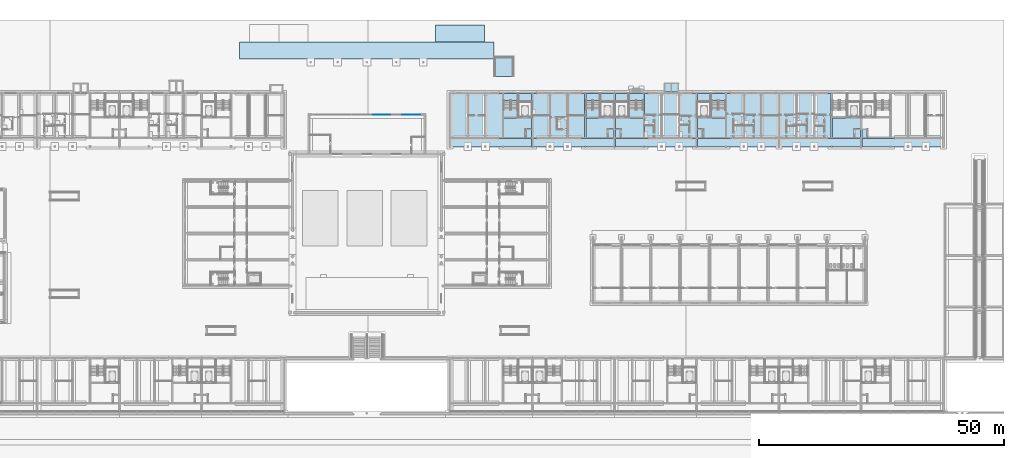
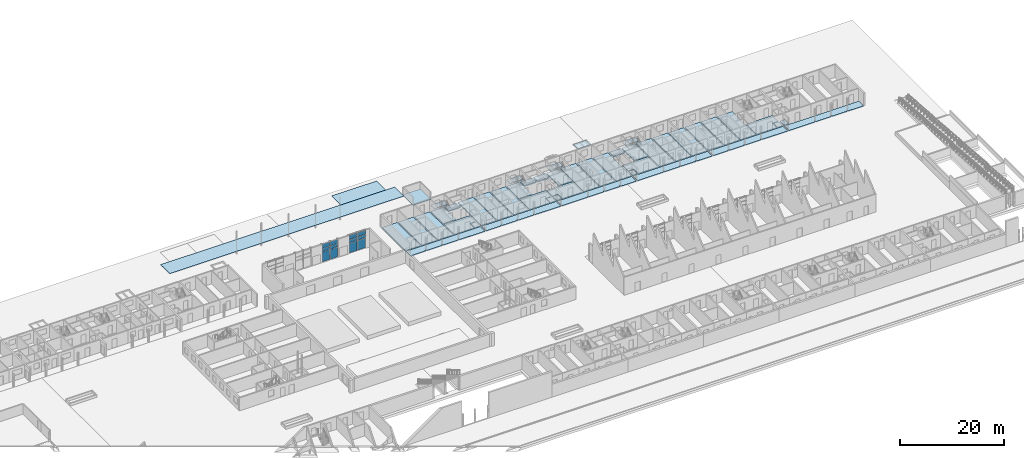
# One storey, part 35 of 112: 48 slabs, 12 plates, 6 elements without a shape of their own.
"""IFC4 building model written with IfcOpenShell, lengths in metres."""

from ifc_helpers import new_model, si_unit, direction, frame, origin, origin_2d, place, context, subcontext, project, spatial, polyline, rectangle, outline, extrude, material, layer, layer_set, type_object, element, aggregate, save


model = new_model("IFC4")

# Units and contexts
model_context = context("Model", 3, precision=1e-05, world=origin(), true_north=direction((0.0, 1.0)))
body_context = subcontext(model_context, "Body", "Model", "MODEL_VIEW")
ifc_project = project(units=[si_unit("LENGTHUNIT", "METRE"), si_unit("AREAUNIT", "SQUARE_METRE"), si_unit("VOLUMEUNIT", "CUBIC_METRE"), si_unit("PLANEANGLEUNIT", "RADIAN"), si_unit("MASSUNIT", "GRAM", prefix="KILO")], contexts=[model_context])

# Site, building, storey
site_placement = place(None, origin())
site = spatial("IfcSite", under=ifc_project, at=site_placement, CompositionType="ELEMENT")
building_placement = place(site_placement, origin())
building = spatial("IfcBuilding", under=site, at=building_placement, Name="Ridgestep Commons", CompositionType="ELEMENT")
storey_placement = place(building_placement, origin())
storey = spatial("IfcBuildingStorey", under=building, at=storey_placement, Name="L00", CompositionType="ELEMENT", Elevation=0.0)

# Curtain wall, plates
ifc_material_1 = material(Name="Aluminium and glass", Category="aluminium")
ifc_layer_1 = layer(ifc_material_1, 0.199951171875)
ifc_layer_set_1 = layer_set([ifc_layer_1], Name="Foyer curtain wall")
curtain_wall_type = type_object("IfcCurtainWallType", Name="Foyer curtain wall", PredefinedType="NOTDEFINED", material=ifc_layer_set_1)
curtain_wall_1_placement = place(storey_placement, origin())
curtain_wall_1 = element("IfcCurtainWall", 1, at=curtain_wall_1_placement, inside=storey, type_object=curtain_wall_type, Name="Foyer curtain wall", PredefinedType="NOTDEFINED")
ifc_material_2 = material(Name="Glass", Category="glass")
ifc_layer_2 = layer(ifc_material_2, 0.02392578125)
ifc_layer_set_2 = layer_set([ifc_layer_2], Name="Community glass panel 24")
plate_type = type_object("IfcPlateType", Name="Community glass panel 24", PredefinedType="CURTAIN_PANEL", material=ifc_layer_set_2)
plate_1_placement = place(storey_placement, frame((131.9150390625, 72.64990234375, 0.06005859375), z_axis=(0.0, 0.0, 1.0), x_axis=(1.0, 0.0, 0.0)))
plate_1 = element("IfcPlate", 2, at=plate_1_placement, type_object=plate_type, Name="CW2 panel 1.1", PredefinedType="CURTAIN_PANEL", context=body_context, shape_type="SweptSolid", body=[
    extrude(rectangle(XDim=1.7099609375, YDim=0.02392578125, at=origin_2d()), origin(), (0.0, 0.0, 1.0), 2.31005859375),
])
plate_2_placement = place(storey_placement, frame((131.9150390625, 72.64990234375, 2.43017578125), z_axis=(0.0, 0.0, 1.0), x_axis=(1.0, 0.0, 0.0)))
plate_2 = element("IfcPlate", 3, at=plate_2_placement, type_object=plate_type, Name="CW2 panel 1.2", PredefinedType="CURTAIN_PANEL", context=body_context, shape_type="SweptSolid", body=[
    extrude(rectangle(XDim=1.7099609375, YDim=0.02392578125, at=origin_2d()), origin(), (0.0, 0.0, 1.0), 0.739990234375),
])
plate_3_placement = place(storey_placement, frame((131.9150390625, 72.64990234375, 3.22998046875), z_axis=(0.0, 0.0, 1.0), x_axis=(1.0, 0.0, 0.0)))
plate_3 = element("IfcPlate", 4, at=plate_3_placement, type_object=plate_type, Name="CW2 panel 1.3", PredefinedType="CURTAIN_PANEL", context=body_context, shape_type="SweptSolid", body=[
    extrude(rectangle(XDim=1.7099609375, YDim=0.02392578125, at=origin_2d()), origin(), (0.0, 0.0, 1.0), 0.9599609375),
])
plate_4_placement = place(storey_placement, frame((133.68505859375, 72.64990234375, 0.06005859375), z_axis=(0.0, 0.0, 1.0), x_axis=(1.0, 0.0, 0.0)))
plate_4 = element("IfcPlate", 5, at=plate_4_placement, type_object=plate_type, Name="CW2 panel 2.1", PredefinedType="CURTAIN_PANEL", context=body_context, shape_type="SweptSolid", body=[
    extrude(rectangle(XDim=1.7099609375, YDim=0.02392578125, at=origin_2d()), origin(), (0.0, 0.0, 1.0), 2.31005859375),
])
plate_5_placement = place(storey_placement, frame((133.68505859375, 72.64990234375, 2.43017578125), z_axis=(0.0, 0.0, 1.0), x_axis=(1.0, 0.0, 0.0)))
plate_5 = element("IfcPlate", 6, at=plate_5_placement, type_object=plate_type, Name="CW2 panel 2.2", PredefinedType="CURTAIN_PANEL", context=body_context, shape_type="SweptSolid", body=[
    extrude(rectangle(XDim=1.7099609375, YDim=0.02392578125, at=origin_2d()), origin(), (0.0, 0.0, 1.0), 0.739990234375),
])
plate_6_placement = place(storey_placement, frame((133.68505859375, 72.64990234375, 3.22998046875), z_axis=(0.0, 0.0, 1.0), x_axis=(1.0, 0.0, 0.0)))
plate_6 = element("IfcPlate", 7, at=plate_6_placement, type_object=plate_type, Name="CW2 panel 2.3", PredefinedType="CURTAIN_PANEL", context=body_context, shape_type="SweptSolid", body=[
    extrude(rectangle(XDim=1.7099609375, YDim=0.02392578125, at=origin_2d()), origin(), (0.0, 0.0, 1.0), 0.9599609375),
])
aggregate(curtain_wall_1, [plate_1, plate_2, plate_3, plate_4, plate_5, plate_6])

curtain_wall_2_placement = place(storey_placement, origin())
curtain_wall_2 = element("IfcCurtainWall", 8, at=curtain_wall_2_placement, inside=storey, type_object=curtain_wall_type, Name="Foyer curtain wall", PredefinedType="NOTDEFINED")
plate_7_placement = place(storey_placement, frame((137.965087890625, 72.64990234375, 0.06005859375), z_axis=(0.0, 0.0, 1.0), x_axis=(1.0, 0.0, 0.0)))
plate_7 = element("IfcPlate", 9, at=plate_7_placement, type_object=plate_type, Name="CW2 panel 1.1", PredefinedType="CURTAIN_PANEL", context=body_context, shape_type="SweptSolid", body=[
    extrude(rectangle(XDim=1.81005859375, YDim=0.02392578125, at=origin_2d()), origin(), (0.0, 0.0, 1.0), 2.31005859375),
])
plate_8_placement = place(storey_placement, frame((137.965087890625, 72.64990234375, 2.43017578125), z_axis=(0.0, 0.0, 1.0), x_axis=(1.0, 0.0, 0.0)))
plate_8 = element("IfcPlate", 10, at=plate_8_placement, type_object=plate_type, Name="CW2 panel 1.2", PredefinedType="CURTAIN_PANEL", context=body_context, shape_type="SweptSolid", body=[
    extrude(rectangle(XDim=1.81005859375, YDim=0.02392578125, at=origin_2d()), origin(), (0.0, 0.0, 1.0), 0.739990234375),
])
plate_9_placement = place(storey_placement, frame((137.965087890625, 72.64990234375, 3.22998046875), z_axis=(0.0, 0.0, 1.0), x_axis=(1.0, 0.0, 0.0)))
plate_9 = element("IfcPlate", 11, at=plate_9_placement, type_object=plate_type, Name="CW2 panel 1.3", PredefinedType="CURTAIN_PANEL", context=body_context, shape_type="SweptSolid", body=[
    extrude(rectangle(XDim=1.81005859375, YDim=0.02392578125, at=origin_2d()), origin(), (0.0, 0.0, 1.0), 0.9599609375),
])
plate_10_placement = place(storey_placement, frame((139.8349609375, 72.64990234375, 0.06005859375), z_axis=(0.0, 0.0, 1.0), x_axis=(1.0, 0.0, 0.0)))
plate_10 = element("IfcPlate", 12, at=plate_10_placement, type_object=plate_type, Name="CW2 panel 2.1", PredefinedType="CURTAIN_PANEL", context=body_context, shape_type="SweptSolid", body=[
    extrude(rectangle(XDim=1.81005859375, YDim=0.02392578125, at=origin_2d()), origin(), (0.0, 0.0, 1.0), 2.31005859375),
])
plate_11_placement = place(storey_placement, frame((139.8349609375, 72.64990234375, 2.43017578125), z_axis=(0.0, 0.0, 1.0), x_axis=(1.0, 0.0, 0.0)))
plate_11 = element("IfcPlate", 13, at=plate_11_placement, type_object=plate_type, Name="CW2 panel 2.2", PredefinedType="CURTAIN_PANEL", context=body_context, shape_type="SweptSolid", body=[
    extrude(rectangle(XDim=1.81005859375, YDim=0.02392578125, at=origin_2d()), origin(), (0.0, 0.0, 1.0), 0.739990234375),
])
plate_12_placement = place(storey_placement, frame((139.8349609375, 72.64990234375, 3.22998046875), z_axis=(0.0, 0.0, 1.0), x_axis=(1.0, 0.0, 0.0)))
plate_12 = element("IfcPlate", 14, at=plate_12_placement, type_object=plate_type, Name="CW2 panel 2.3", PredefinedType="CURTAIN_PANEL", context=body_context, shape_type="SweptSolid", body=[
    extrude(rectangle(XDim=1.81005859375, YDim=0.02392578125, at=origin_2d()), origin(), (0.0, 0.0, 1.0), 0.9599609375),
])
aggregate(curtain_wall_2, [plate_7, plate_8, plate_9, plate_10, plate_11, plate_12])

# Slabs
ifc_material_3 = material(Name="Concrete C30/37", Category="concrete")
ifc_layer_3 = layer(ifc_material_3, 0.14990234375)
ifc_layer_set_3 = layer_set([ifc_layer_3], Name="Community paving slab 150")
slab_type_1 = type_object("IfcSlabType", Name="Community paving slab 150", PredefinedType="BASESLAB", material=ifc_layer_set_3)
slab_1_placement = place(storey_placement, frame((0.0, 0.0, -0.14990234375)))
element("IfcSlab", 15, at=slab_1_placement, inside=storey, type_object=slab_type_1, Name="Drop-off lane paving", PredefinedType="BASESLAB", context=body_context, shape_type="SweptSolid", body=[
    extrude(outline(polyline([(103.800048828125, 84.0), (155.800048828125, 84.0), (155.800048828125, 87.5), (103.800048828125, 87.5), (103.800048828125, 84.0)])), origin(), (0.0, 0.0, 1.0), 0.14990234375),
])
slab_2_placement = place(storey_placement, frame((0.0, 0.0, -0.14990234375)))
element("IfcSlab", 16, at=slab_2_placement, inside=storey, type_object=slab_type_1, Name="Servicing bay paving", PredefinedType="BASESLAB", context=body_context, shape_type="SweptSolid", body=[
    extrude(outline(polyline([(143.800048828125, 87.5), (153.800048828125, 87.5), (153.800048828125, 91.0), (143.800048828125, 91.0), (143.800048828125, 87.5)])), origin(), (0.0, 0.0, 1.0), 0.14990234375),
])
slab_3_placement = place(storey_placement, frame((0.0, 0.0, -0.14990234375)))
element("IfcSlab", 17, at=slab_3_placement, inside=storey, type_object=slab_type_1, Name="Refuse point paving", PredefinedType="BASESLAB", context=body_context, shape_type="SweptSolid", body=[
    extrude(outline(polyline([(155.800048828125, 80.5), (159.800048828125, 80.5), (159.800048828125, 84.5), (155.800048828125, 84.5), (155.800048828125, 80.5)])), origin(), (0.0, 0.0, 1.0), 0.14990234375),
])
ifc_material_4 = material(Name="Precast concrete C40/50", Category="concrete")
ifc_layer_4 = layer(ifc_material_4, 0.199951171875)
ifc_layer_set_4 = layer_set([ifc_layer_4], Name="Gallery slab 200")
slab_type_2 = type_object("IfcSlabType", Name="Gallery slab 200", PredefinedType="FLOOR", material=ifc_layer_set_4)
slab_4_placement = place(storey_placement, frame((0.0, 0.0, -0.199951171875)))
element("IfcSlab", 18, at=slab_4_placement, inside=storey, type_object=slab_type_2, Name="Gallery slab C1 L00", PredefinedType="FLOOR", context=body_context, shape_type="SweptSolid", body=[
    extrude(outline(polyline([(163.449951171875, 67.800048828125), (146.949951171875, 67.800048828125), (146.949951171875, 66.0), (150.27490234375, 66.0), (150.27490234375, 66.25), (150.52490234375, 66.25), (150.52490234375, 66.0), (153.875, 66.0), (153.875, 66.25), (154.125, 66.25), (154.125, 66.0), (157.47509765625, 66.0), (157.47509765625, 66.25), (157.72509765625, 66.25), (157.72509765625, 66.0), (163.449951171875, 66.0), (163.449951171875, 67.800048828125)])), origin(), (0.0, 0.0, 1.0), 0.199951171875),
])
slab_5_placement = place(storey_placement, frame((0.0, 0.0, -0.199951171875)))
element("IfcSlab", 19, at=slab_5_placement, inside=storey, type_object=slab_type_2, Name="Gallery slab C2 L00", PredefinedType="FLOOR", context=body_context, shape_type="SweptSolid", body=[
    extrude(outline(polyline([(180.25, 67.800048828125), (163.75, 67.800048828125), (163.75, 66.0), (167.074951171875, 66.0), (167.074951171875, 66.25), (167.324951171875, 66.25), (167.324951171875, 66.0), (170.675048828125, 66.0), (170.675048828125, 66.25), (170.925048828125, 66.25), (170.925048828125, 66.0), (174.27490234375, 66.0), (174.27490234375, 66.25), (174.52490234375, 66.25), (174.52490234375, 66.0), (180.25, 66.0), (180.25, 67.800048828125)])), origin(), (0.0, 0.0, 1.0), 0.199951171875),
])
slab_6_placement = place(storey_placement, frame((0.0, 0.0, -0.199951171875)))
element("IfcSlab", 20, at=slab_6_placement, inside=storey, type_object=slab_type_2, Name="Gallery slab C3 L00", PredefinedType="FLOOR", context=body_context, shape_type="SweptSolid", body=[
    extrude(outline(polyline([(197.050048828125, 67.800048828125), (180.550048828125, 67.800048828125), (180.550048828125, 66.0), (186.27490234375, 66.0), (186.27490234375, 66.25), (186.52490234375, 66.25), (186.52490234375, 66.0), (189.875, 66.0), (189.875, 66.25), (190.125, 66.25), (190.125, 66.0), (193.47509765625, 66.0), (193.47509765625, 66.25), (193.72509765625, 66.25), (193.72509765625, 66.0), (197.050048828125, 66.0), (197.050048828125, 67.800048828125)])), origin(), (0.0, 0.0, 1.0), 0.199951171875),
])
slab_7_placement = place(storey_placement, frame((0.0, 0.0, -0.199951171875)))
element("IfcSlab", 21, at=slab_7_placement, inside=storey, type_object=slab_type_2, Name="Gallery slab C4 L00", PredefinedType="FLOOR", context=body_context, shape_type="SweptSolid", body=[
    extrude(outline(polyline([(213.85009765625, 67.800048828125), (197.35009765625, 67.800048828125), (197.35009765625, 66.0), (203.074951171875, 66.0), (203.074951171875, 66.25), (203.324951171875, 66.25), (203.324951171875, 66.0), (206.675048828125, 66.0), (206.675048828125, 66.25), (206.925048828125, 66.25), (206.925048828125, 66.0), (210.27490234375, 66.0), (210.27490234375, 66.25), (210.52490234375, 66.25), (210.52490234375, 66.0), (213.85009765625, 66.0), (213.85009765625, 67.800048828125)])), origin(), (0.0, 0.0, 1.0), 0.199951171875),
])
slab_8_placement = place(storey_placement, frame((0.0, 0.0, -0.199951171875)))
element("IfcSlab", 22, at=slab_8_placement, inside=storey, type_object=slab_type_2, Name="Gallery slab C5 L00", PredefinedType="FLOOR", context=body_context, shape_type="SweptSolid", body=[
    extrude(outline(polyline([(230.64990234375, 67.800048828125), (214.14990234375, 67.800048828125), (214.14990234375, 66.0), (217.47509765625, 66.0), (217.47509765625, 66.25), (217.72509765625, 66.25), (217.72509765625, 66.0), (221.074951171875, 66.0), (221.074951171875, 66.25), (221.324951171875, 66.25), (221.324951171875, 66.0), (224.675048828125, 66.0), (224.675048828125, 66.25), (224.925048828125, 66.25), (224.925048828125, 66.0), (230.64990234375, 66.0), (230.64990234375, 67.800048828125)])), origin(), (0.0, 0.0, 1.0), 0.199951171875),
])
slab_9_placement = place(storey_placement, frame((0.0, 0.0, -0.199951171875)))
element("IfcSlab", 23, at=slab_9_placement, inside=storey, type_object=slab_type_2, Name="Gallery slab C6 L00", PredefinedType="FLOOR", context=body_context, shape_type="SweptSolid", body=[
    extrude(outline(polyline([(247.449951171875, 67.800048828125), (230.949951171875, 67.800048828125), (230.949951171875, 66.0), (236.675048828125, 66.0), (236.675048828125, 66.25), (236.925048828125, 66.25), (236.925048828125, 66.0), (240.27490234375, 66.0), (240.27490234375, 66.25), (240.52490234375, 66.25), (240.52490234375, 66.0), (243.875, 66.0), (243.875, 66.25), (244.125, 66.25), (244.125, 66.0), (247.449951171875, 66.0), (247.449951171875, 67.800048828125)])), origin(), (0.0, 0.0, 1.0), 0.199951171875),
])
ifc_material_5 = material(Name="Concrete C30/37", Category="concrete")
ifc_layer_5 = layer(ifc_material_5, 0.25)
ifc_layer_set_5 = layer_set([ifc_layer_5], Name="Slab on grade 250")
slab_type_3 = type_object("IfcSlabType", Name="Slab on grade 250", PredefinedType="BASESLAB", material=ifc_layer_set_5)
slab_10_placement = place(storey_placement, frame((0.0, 0.0, -0.25)))
element("IfcSlab", 24, at=slab_10_placement, inside=storey, type_object=slab_type_3, Name="Slab on grade C1T1", PredefinedType="BASESLAB", context=body_context, shape_type="SweptSolid", body=[
    extrude(outline(polyline([(150.27490234375, 68.0), (150.27490234375, 77.0), (146.949951171875, 77.0), (146.949951171875, 68.0), (150.27490234375, 68.0)])), origin(), (0.0, 0.0, 1.0), 0.25),
])
slab_11_placement = place(storey_placement, frame((0.0, 0.0, -0.25)))
element("IfcSlab", 25, at=slab_11_placement, inside=storey, type_object=slab_type_3, Name="Slab on grade C1T2", PredefinedType="BASESLAB", context=body_context, shape_type="SweptSolid", body=[
    extrude(outline(polyline([(153.875, 68.0), (153.875, 77.0), (150.52490234375, 77.0), (150.52490234375, 68.0), (153.875, 68.0)])), origin(), (0.0, 0.0, 1.0), 0.25),
])
slab_12_placement = place(storey_placement, frame((0.0, 0.0, -0.25)))
element("IfcSlab", 26, at=slab_12_placement, inside=storey, type_object=slab_type_3, Name="Slab on grade C1T3", PredefinedType="BASESLAB", context=body_context, shape_type="SweptSolid", body=[
    extrude(outline(polyline([(157.47509765625, 68.0), (157.47509765625, 77.0), (154.125, 77.0), (154.125, 68.0), (157.47509765625, 68.0)])), origin(), (0.0, 0.0, 1.0), 0.25),
])
slab_13_placement = place(storey_placement, frame((0.0, 0.0, -0.25)))
element("IfcSlab", 27, at=slab_13_placement, inside=storey, type_object=slab_type_3, Name="Slab on grade C1C", PredefinedType="BASESLAB", context=body_context, shape_type="SweptSolid", body=[
    extrude(outline(polyline([(162.320068359375, 69.719970703125), (163.449951171875, 69.719970703125), (163.449951171875, 72.0), (157.72509765625, 72.0), (157.72509765625, 68.0), (162.199951171875, 68.0), (162.199951171875, 69.719970703125), (162.320068359375, 69.719970703125)])), origin(), (0.0, 0.0, 1.0), 0.25),
])
slab_14_placement = place(storey_placement, frame((0.0, 0.0, -0.25)))
element("IfcSlab", 28, at=slab_14_placement, inside=storey, type_object=slab_type_3, Name="Slab on grade C1C", PredefinedType="BASESLAB", context=body_context, shape_type="SweptSolid", body=[
    extrude(outline(polyline([(160.625, 77.0), (157.72509765625, 77.0), (157.72509765625, 72.199951171875), (160.625, 72.199951171875), (160.625, 77.0)])), origin(), (0.0, 0.0, 1.0), 0.25),
])
slab_15_placement = place(storey_placement, frame((0.0, 0.0, -0.25)))
element("IfcSlab", 29, at=slab_15_placement, inside=storey, type_object=slab_type_3, Name="Slab on grade C1C", PredefinedType="BASESLAB", context=body_context, shape_type="SweptSolid", body=[
    extrude(outline(polyline([(163.449951171875, 75.39990234375), (163.449951171875, 77.0), (160.824951171875, 77.0), (160.824951171875, 75.39990234375), (163.449951171875, 75.39990234375)])), origin(), (0.0, 0.0, 1.0), 0.25),
])
slab_16_placement = place(storey_placement, frame((0.0, 0.0, -0.25)))
element("IfcSlab", 30, at=slab_16_placement, inside=storey, type_object=slab_type_3, Name="Slab on grade C1C", PredefinedType="BASESLAB", context=body_context, shape_type="SweptSolid", body=[
    extrude(outline(polyline([(162.320068359375, 68.0), (163.449951171875, 68.0), (163.449951171875, 69.60009765625), (162.320068359375, 69.60009765625), (162.320068359375, 68.0)])), origin(), (0.0, 0.0, 1.0), 0.25),
])
slab_17_placement = place(storey_placement, frame((0.0, 0.0, -0.25)))
element("IfcSlab", 31, at=slab_17_placement, inside=storey, type_object=slab_type_3, Name="Slab on grade C2T1", PredefinedType="BASESLAB", context=body_context, shape_type="SweptSolid", body=[
    extrude(outline(polyline([(167.10009765625, 68.0), (167.10009765625, 77.0), (163.75, 77.0), (163.75, 68.0), (167.10009765625, 68.0)])), origin(), (0.0, 0.0, 1.0), 0.25),
])
slab_18_placement = place(storey_placement, frame((0.0, 0.0, -0.25)))
element("IfcSlab", 32, at=slab_18_placement, inside=storey, type_object=slab_type_3, Name="Slab on grade C2T2", PredefinedType="BASESLAB", context=body_context, shape_type="SweptSolid", body=[
    extrude(outline(polyline([(170.675048828125, 68.0), (170.675048828125, 77.0), (167.300048828125, 77.0), (167.300048828125, 68.0), (170.675048828125, 68.0)])), origin(), (0.0, 0.0, 1.0), 0.25),
])
slab_19_placement = place(storey_placement, frame((0.0, 0.0, -0.25)))
element("IfcSlab", 33, at=slab_19_placement, inside=storey, type_object=slab_type_3, Name="Slab on grade C2T3", PredefinedType="BASESLAB", context=body_context, shape_type="SweptSolid", body=[
    extrude(outline(polyline([(174.27490234375, 68.0), (174.27490234375, 77.0), (170.925048828125, 77.0), (170.925048828125, 68.0), (174.27490234375, 68.0)])), origin(), (0.0, 0.0, 1.0), 0.25),
])
slab_20_placement = place(storey_placement, frame((0.0, 0.0, -0.25)))
element("IfcSlab", 34, at=slab_20_placement, inside=storey, type_object=slab_type_3, Name="Slab on grade C2C", PredefinedType="BASESLAB", context=body_context, shape_type="SweptSolid", body=[
    extrude(outline(polyline([(179.1201171875, 69.719970703125), (180.25, 69.719970703125), (180.25, 72.0), (174.52490234375, 72.0), (174.52490234375, 68.0), (179.0, 68.0), (179.0, 69.719970703125), (179.1201171875, 69.719970703125)])), origin(), (0.0, 0.0, 1.0), 0.25),
])
slab_21_placement = place(storey_placement, frame((0.0, 0.0, -0.25)))
element("IfcSlab", 35, at=slab_21_placement, inside=storey, type_object=slab_type_3, Name="Slab on grade C2C", PredefinedType="BASESLAB", context=body_context, shape_type="SweptSolid", body=[
    extrude(outline(polyline([(177.425048828125, 77.0), (174.52490234375, 77.0), (174.52490234375, 72.199951171875), (177.425048828125, 72.199951171875), (177.425048828125, 77.0)])), origin(), (0.0, 0.0, 1.0), 0.25),
])
slab_22_placement = place(storey_placement, frame((0.0, 0.0, -0.25)))
element("IfcSlab", 36, at=slab_22_placement, inside=storey, type_object=slab_type_3, Name="Slab on grade C2C", PredefinedType="BASESLAB", context=body_context, shape_type="SweptSolid", body=[
    extrude(outline(polyline([(180.25, 75.39990234375), (180.25, 77.0), (177.625, 77.0), (177.625, 75.39990234375), (180.25, 75.39990234375)])), origin(), (0.0, 0.0, 1.0), 0.25),
])
slab_23_placement = place(storey_placement, frame((0.0, 0.0, -0.25)))
element("IfcSlab", 37, at=slab_23_placement, inside=storey, type_object=slab_type_3, Name="Slab on grade C2C", PredefinedType="BASESLAB", context=body_context, shape_type="SweptSolid", body=[
    extrude(outline(polyline([(179.1201171875, 68.0), (180.25, 68.0), (180.25, 69.60009765625), (179.1201171875, 69.60009765625), (179.1201171875, 68.0)])), origin(), (0.0, 0.0, 1.0), 0.25),
])
slab_24_placement = place(storey_placement, frame((0.0, 0.0, -0.25)))
element("IfcSlab", 38, at=slab_24_placement, inside=storey, type_object=slab_type_3, Name="Slab on grade C3C", PredefinedType="BASESLAB", context=body_context, shape_type="SweptSolid", body=[
    extrude(outline(polyline([(181.800048828125, 68.0), (186.27490234375, 68.0), (186.27490234375, 72.0), (180.550048828125, 72.0), (180.550048828125, 69.719970703125), (181.679931640625, 69.719970703125), (181.800048828125, 69.719970703125), (181.800048828125, 68.0)])), origin(), (0.0, 0.0, 1.0), 0.25),
])
slab_25_placement = place(storey_placement, frame((0.0, 0.0, -0.25)))
element("IfcSlab", 39, at=slab_25_placement, inside=storey, type_object=slab_type_3, Name="Slab on grade C3C", PredefinedType="BASESLAB", context=body_context, shape_type="SweptSolid", body=[
    extrude(outline(polyline([(186.27490234375, 72.199951171875), (186.27490234375, 77.0), (183.375, 77.0), (183.375, 72.199951171875), (186.27490234375, 72.199951171875)])), origin(), (0.0, 0.0, 1.0), 0.25),
])
slab_26_placement = place(storey_placement, frame((0.0, 0.0, -0.25)))
element("IfcSlab", 40, at=slab_26_placement, inside=storey, type_object=slab_type_3, Name="Slab on grade C3C", PredefinedType="BASESLAB", context=body_context, shape_type="SweptSolid", body=[
    extrude(outline(polyline([(183.175048828125, 77.0), (180.550048828125, 77.0), (180.550048828125, 75.39990234375), (183.175048828125, 75.39990234375), (183.175048828125, 77.0)])), origin(), (0.0, 0.0, 1.0), 0.25),
])
slab_27_placement = place(storey_placement, frame((0.0, 0.0, -0.25)))
element("IfcSlab", 41, at=slab_27_placement, inside=storey, type_object=slab_type_3, Name="Slab on grade C3C", PredefinedType="BASESLAB", context=body_context, shape_type="SweptSolid", body=[
    extrude(outline(polyline([(181.679931640625, 69.60009765625), (180.550048828125, 69.60009765625), (180.550048828125, 68.0), (181.679931640625, 68.0), (181.679931640625, 69.60009765625)])), origin(), (0.0, 0.0, 1.0), 0.25),
])
slab_28_placement = place(storey_placement, frame((0.0, 0.0, -0.25)))
element("IfcSlab", 42, at=slab_28_placement, inside=storey, type_object=slab_type_3, Name="Slab on grade C3T3", PredefinedType="BASESLAB", context=body_context, shape_type="SweptSolid", body=[
    extrude(outline(polyline([(189.875, 68.0), (189.875, 77.0), (186.52490234375, 77.0), (186.52490234375, 68.0), (189.875, 68.0)])), origin(), (0.0, 0.0, 1.0), 0.25),
])
slab_29_placement = place(storey_placement, frame((0.0, 0.0, -0.25)))
element("IfcSlab", 43, at=slab_29_placement, inside=storey, type_object=slab_type_3, Name="Slab on grade C3T2", PredefinedType="BASESLAB", context=body_context, shape_type="SweptSolid", body=[
    extrude(outline(polyline([(193.47509765625, 68.0), (193.47509765625, 77.0), (190.125, 77.0), (190.125, 68.0), (193.47509765625, 68.0)])), origin(), (0.0, 0.0, 1.0), 0.25),
])
slab_30_placement = place(storey_placement, frame((0.0, 0.0, -0.25)))
element("IfcSlab", 44, at=slab_30_placement, inside=storey, type_object=slab_type_3, Name="Slab on grade C3T1", PredefinedType="BASESLAB", context=body_context, shape_type="SweptSolid", body=[
    extrude(outline(polyline([(197.050048828125, 68.0), (197.050048828125, 77.0), (193.72509765625, 77.0), (193.72509765625, 68.0), (197.050048828125, 68.0)])), origin(), (0.0, 0.0, 1.0), 0.25),
])
slab_31_placement = place(storey_placement, frame((0.0, 0.0, -0.25)))
element("IfcSlab", 45, at=slab_31_placement, inside=storey, type_object=slab_type_3, Name="Slab on grade C4C", PredefinedType="BASESLAB", context=body_context, shape_type="SweptSolid", body=[
    extrude(outline(polyline([(198.60009765625, 68.0), (203.074951171875, 68.0), (203.074951171875, 72.0), (197.35009765625, 72.0), (197.35009765625, 69.719970703125), (198.47998046875, 69.719970703125), (198.60009765625, 69.719970703125), (198.60009765625, 68.0)])), origin(), (0.0, 0.0, 1.0), 0.25),
])
slab_32_placement = place(storey_placement, frame((0.0, 0.0, -0.25)))
element("IfcSlab", 46, at=slab_32_placement, inside=storey, type_object=slab_type_3, Name="Slab on grade C4C", PredefinedType="BASESLAB", context=body_context, shape_type="SweptSolid", body=[
    extrude(outline(polyline([(203.074951171875, 72.199951171875), (203.074951171875, 77.0), (200.175048828125, 77.0), (200.175048828125, 72.199951171875), (203.074951171875, 72.199951171875)])), origin(), (0.0, 0.0, 1.0), 0.25),
])
slab_33_placement = place(storey_placement, frame((0.0, 0.0, -0.25)))
element("IfcSlab", 47, at=slab_33_placement, inside=storey, type_object=slab_type_3, Name="Slab on grade C4C", PredefinedType="BASESLAB", context=body_context, shape_type="SweptSolid", body=[
    extrude(outline(polyline([(199.97509765625, 77.0), (197.35009765625, 77.0), (197.35009765625, 75.39990234375), (199.97509765625, 75.39990234375), (199.97509765625, 77.0)])), origin(), (0.0, 0.0, 1.0), 0.25),
])
slab_34_placement = place(storey_placement, frame((0.0, 0.0, -0.25)))
element("IfcSlab", 48, at=slab_34_placement, inside=storey, type_object=slab_type_3, Name="Slab on grade C4C", PredefinedType="BASESLAB", context=body_context, shape_type="SweptSolid", body=[
    extrude(outline(polyline([(198.47998046875, 69.60009765625), (197.35009765625, 69.60009765625), (197.35009765625, 68.0), (198.47998046875, 68.0), (198.47998046875, 69.60009765625)])), origin(), (0.0, 0.0, 1.0), 0.25),
])
slab_35_placement = place(storey_placement, frame((0.0, 0.0, -0.25)))
element("IfcSlab", 49, at=slab_35_placement, inside=storey, type_object=slab_type_3, Name="Slab on grade C4T3", PredefinedType="BASESLAB", context=body_context, shape_type="SweptSolid", body=[
    extrude(outline(polyline([(206.675048828125, 68.0), (206.675048828125, 77.0), (203.324951171875, 77.0), (203.324951171875, 68.0), (206.675048828125, 68.0)])), origin(), (0.0, 0.0, 1.0), 0.25),
])
slab_36_placement = place(storey_placement, frame((0.0, 0.0, -0.25)))
element("IfcSlab", 50, at=slab_36_placement, inside=storey, type_object=slab_type_3, Name="Slab on grade C4T2", PredefinedType="BASESLAB", context=body_context, shape_type="SweptSolid", body=[
    extrude(outline(polyline([(210.300048828125, 68.0), (210.300048828125, 77.0), (206.925048828125, 77.0), (206.925048828125, 68.0), (210.300048828125, 68.0)])), origin(), (0.0, 0.0, 1.0), 0.25),
])
slab_37_placement = place(storey_placement, frame((0.0, 0.0, -0.25)))
element("IfcSlab", 51, at=slab_37_placement, inside=storey, type_object=slab_type_3, Name="Slab on grade C4T1", PredefinedType="BASESLAB", context=body_context, shape_type="SweptSolid", body=[
    extrude(outline(polyline([(213.85009765625, 68.0), (213.85009765625, 77.0), (210.5, 77.0), (210.5, 68.0), (213.85009765625, 68.0)])), origin(), (0.0, 0.0, 1.0), 0.25),
])
slab_38_placement = place(storey_placement, frame((0.0, 0.0, -0.25)))
element("IfcSlab", 52, at=slab_38_placement, inside=storey, type_object=slab_type_3, Name="Slab on grade C5T1", PredefinedType="BASESLAB", context=body_context, shape_type="SweptSolid", body=[
    extrude(outline(polyline([(217.47509765625, 68.0), (217.47509765625, 77.0), (214.14990234375, 77.0), (214.14990234375, 68.0), (217.47509765625, 68.0)])), origin(), (0.0, 0.0, 1.0), 0.25),
])
slab_39_placement = place(storey_placement, frame((0.0, 0.0, -0.25)))
element("IfcSlab", 53, at=slab_39_placement, inside=storey, type_object=slab_type_3, Name="Slab on grade C5T2", PredefinedType="BASESLAB", context=body_context, shape_type="SweptSolid", body=[
    extrude(outline(polyline([(221.074951171875, 68.0), (221.074951171875, 77.0), (217.72509765625, 77.0), (217.72509765625, 68.0), (221.074951171875, 68.0)])), origin(), (0.0, 0.0, 1.0), 0.25),
])
slab_40_placement = place(storey_placement, frame((0.0, 0.0, -0.25)))
element("IfcSlab", 54, at=slab_40_placement, inside=storey, type_object=slab_type_3, Name="Slab on grade C5T3", PredefinedType="BASESLAB", context=body_context, shape_type="SweptSolid", body=[
    extrude(outline(polyline([(224.675048828125, 68.0), (224.675048828125, 77.0), (221.324951171875, 77.0), (221.324951171875, 68.0), (224.675048828125, 68.0)])), origin(), (0.0, 0.0, 1.0), 0.25),
])
slab_41_placement = place(storey_placement, frame((0.0, 0.0, -0.25)))
element("IfcSlab", 55, at=slab_41_placement, inside=storey, type_object=slab_type_3, Name="Slab on grade C5C", PredefinedType="BASESLAB", context=body_context, shape_type="SweptSolid", body=[
    extrude(outline(polyline([(229.52001953125, 69.719970703125), (230.64990234375, 69.719970703125), (230.64990234375, 72.0), (224.925048828125, 72.0), (224.925048828125, 68.0), (229.39990234375, 68.0), (229.39990234375, 69.719970703125), (229.52001953125, 69.719970703125)])), origin(), (0.0, 0.0, 1.0), 0.25),
])
slab_42_placement = place(storey_placement, frame((0.0, 0.0, -0.25)))
element("IfcSlab", 56, at=slab_42_placement, inside=storey, type_object=slab_type_3, Name="Slab on grade C5C", PredefinedType="BASESLAB", context=body_context, shape_type="SweptSolid", body=[
    extrude(outline(polyline([(229.52001953125, 68.0), (230.64990234375, 68.0), (230.64990234375, 69.60009765625), (229.52001953125, 69.60009765625), (229.52001953125, 68.0)])), origin(), (0.0, 0.0, 1.0), 0.25),
])
slab_43_placement = place(storey_placement, frame((0.0, 0.0, -0.25)))
element("IfcSlab", 57, at=slab_43_placement, inside=storey, type_object=slab_type_3, Name="Slab on grade C6C", PredefinedType="BASESLAB", context=body_context, shape_type="SweptSolid", body=[
    extrude(outline(polyline([(232.080078125, 69.60009765625), (230.949951171875, 69.60009765625), (230.949951171875, 68.0), (232.080078125, 68.0), (232.080078125, 69.60009765625)])), origin(), (0.0, 0.0, 1.0), 0.25),
])

# Stair, slab
ifc_material_6 = material(Name="Precast concrete C40/50", Category="concrete")
stair_type = type_object("IfcStairType", Name="Escape stair 1400", PredefinedType="HALF_TURN_STAIR", material=ifc_material_6)
stair_1_placement = place(storey_placement, origin())
stair_1 = element("IfcStair", 58, at=stair_1_placement, inside=storey, type_object=stair_type, Name="L00 Escape stair C1C", PredefinedType="HALF_TURN_STAIR")
ifc_material_7 = material(Name="Precast concrete C40/50", Category="concrete")
ifc_layer_6 = layer(ifc_material_7, 0.199951171875)
ifc_layer_set_6 = layer_set([ifc_layer_6], Name="Stair landing 200")
slab_type_4 = type_object("IfcSlabType", Name="Stair landing 200", PredefinedType="LANDING", material=ifc_layer_set_6)
slab_44_placement = place(storey_placement, frame((0.0, 0.0, 1.300048828125)))
slab_44 = element("IfcSlab", 59, at=slab_44_placement, type_object=slab_type_4, Name="C1C landing 1", PredefinedType="LANDING", context=body_context, shape_type="SweptSolid", body=[
    extrude(outline(polyline([(160.625, 75.56005859375), (160.625, 77.0), (157.72509765625, 77.0), (157.72509765625, 75.56005859375), (160.625, 75.56005859375)])), origin(), (0.0, 0.0, 1.0), 0.199951171875),
])
aggregate(stair_1, [slab_44])

stair_2_placement = place(storey_placement, origin())
stair_2 = element("IfcStair", 60, at=stair_2_placement, inside=storey, type_object=stair_type, Name="L00 Escape stair C2C", PredefinedType="HALF_TURN_STAIR")
slab_45_placement = place(storey_placement, frame((0.0, 0.0, 1.300048828125)))
slab_45 = element("IfcSlab", 61, at=slab_45_placement, type_object=slab_type_4, Name="C2C landing 1", PredefinedType="LANDING", context=body_context, shape_type="SweptSolid", body=[
    extrude(outline(polyline([(177.425048828125, 75.56005859375), (177.425048828125, 77.0), (174.52490234375, 77.0), (174.52490234375, 75.56005859375), (177.425048828125, 75.56005859375)])), origin(), (0.0, 0.0, 1.0), 0.199951171875),
])
aggregate(stair_2, [slab_45])

stair_3_placement = place(storey_placement, origin())
stair_3 = element("IfcStair", 62, at=stair_3_placement, inside=storey, type_object=stair_type, Name="L00 Escape stair C3C", PredefinedType="HALF_TURN_STAIR")
slab_46_placement = place(storey_placement, frame((0.0, 0.0, 1.300048828125)))
slab_46 = element("IfcSlab", 63, at=slab_46_placement, type_object=slab_type_4, Name="C3C landing 1", PredefinedType="LANDING", context=body_context, shape_type="SweptSolid", body=[
    extrude(outline(polyline([(186.27490234375, 75.56005859375), (186.27490234375, 77.0), (183.375, 77.0), (183.375, 75.56005859375), (186.27490234375, 75.56005859375)])), origin(), (0.0, 0.0, 1.0), 0.199951171875),
])
aggregate(stair_3, [slab_46])

stair_4_placement = place(storey_placement, origin())
stair_4 = element("IfcStair", 64, at=stair_4_placement, inside=storey, type_object=stair_type, Name="L00 Escape stair C4C", PredefinedType="HALF_TURN_STAIR")
slab_47_placement = place(storey_placement, frame((0.0, 0.0, 1.300048828125)))
slab_47 = element("IfcSlab", 65, at=slab_47_placement, type_object=slab_type_4, Name="C4C landing 1", PredefinedType="LANDING", context=body_context, shape_type="SweptSolid", body=[
    extrude(outline(polyline([(203.074951171875, 75.56005859375), (203.074951171875, 77.0), (200.175048828125, 77.0), (200.175048828125, 75.56005859375), (203.074951171875, 75.56005859375)])), origin(), (0.0, 0.0, 1.0), 0.199951171875),
])
aggregate(stair_4, [slab_47])

# Slab
ifc_material_8 = material(Name="Weathering steel S355J2W", Category="steel")
ifc_layer_7 = layer(ifc_material_8, 0.010009765625)
ifc_layer_set_7 = layer_set([ifc_layer_7], Name="Tray 3.0 x 1.8")
slab_type_5 = type_object("IfcSlabType", Name="Tray 3.0 x 1.8", PredefinedType="FLOOR", material=ifc_layer_set_7)
slab_48_placement = place(storey_placement, frame((0.0, 0.0, 2.989990234375)))
element("IfcSlab", 66, at=slab_48_placement, inside=storey, type_object=slab_type_5, Name="Tray deck C3T2-01", PredefinedType="FLOOR", context=body_context, shape_type="SweptSolid", body=[
    extrude(outline(polyline([(190.530029296875, 77.25), (193.469970703125, 77.25), (193.469970703125, 79.050048828125), (190.530029296875, 79.050048828125), (190.530029296875, 77.25)])), origin(), (0.0, 0.0, 1.0), 0.010009765625),
])

save(model, "model.ifc")
